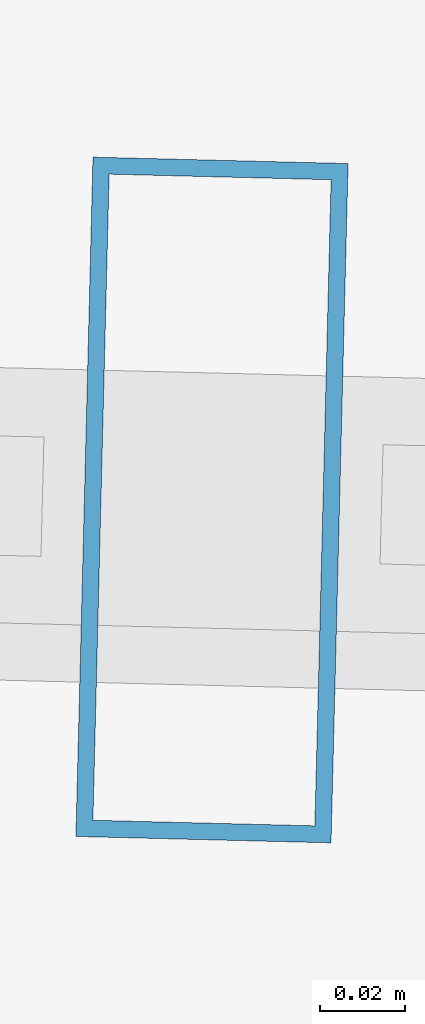
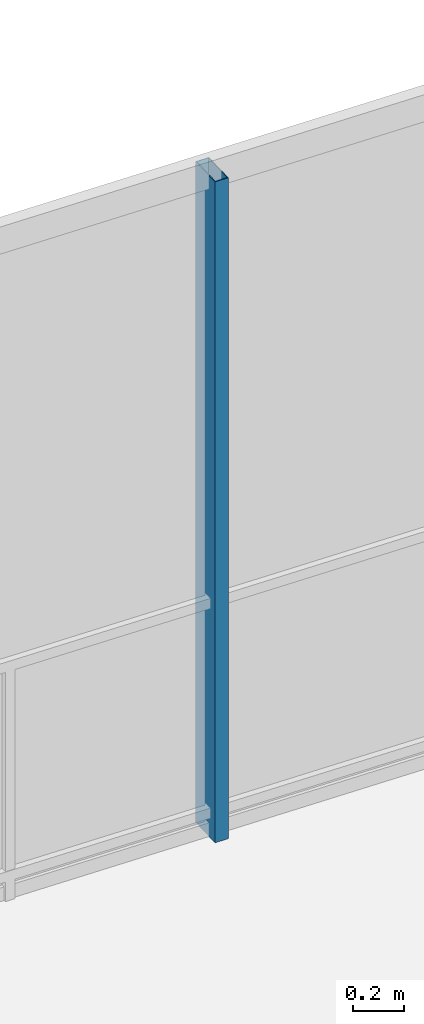
# One storey, part 18 of 30: 1 member, 1 element without a shape of its own.
"""IFC4 building model written with IfcOpenShell, lengths in metres."""

import ifcopenshell
import ifcopenshell.guid

model = None  # the IFC model being written
_history = None  # IfcOwnerHistory: only IFC2X3 demands one
_inside = {}  # id of a spatial element -> (the spatial element, [elements in it])
_under = {}  # id of a project, library or spatial element -> (it, [spatial elements below it])
_declared = {}  # id of a project -> (the project, [libraries it declares])
_typed = {}  # id of a type object -> (the type object, [elements of that type])
_made_of = {}  # id of a material, layer set ... -> (it, [elements and type objects made of it])


def new_model(schema):
    """Start an empty IFC model of exactly this schema.

    Asked for "IFC4X3", IfcOpenShell would pick the latest addendum, in which some entities
    have other attributes; the version numbers below select the first issue.
    IFC2X3 requires an IfcOwnerHistory on every rooted entity: one is made here for all.
    """
    global model, _history
    if schema == "IFC4X3":
        model = ifcopenshell.file(schema_version=(4, 3, 0, 0))
    else:
        model = ifcopenshell.file(schema=schema)
    _inside.clear()
    _under.clear()
    _declared.clear()
    _typed.clear()
    _made_of.clear()
    _history = None
    if model.schema == "IFC2X3":
        org = make("IfcOrganization", Name="unknown")
        user = make(
            "IfcPersonAndOrganization",
            ThePerson=make("IfcPerson", FamilyName="unknown"),
            TheOrganization=org,
        )
        app = make(
            "IfcApplication",
            ApplicationDeveloper=org,
            Version="unknown",
            ApplicationFullName="unknown",
            ApplicationIdentifier="unknown",
        )
        _history = make(
            "IfcOwnerHistory",
            OwningUser=user,
            OwningApplication=app,
            ChangeAction="ADDED",
            CreationDate=0,
        )
    return model


def make(cls, **values):
    """One entity of the class cls with the attributes given. An attribute that is None is left unset."""
    return model.create_entity(
        cls, **{name: value for name, value in values.items() if value is not None}
    )


def rooted(cls, **values):
    """An entity with a GlobalId (a new one), such as an element, a storey or a relation."""
    return make(cls, GlobalId=ifcopenshell.guid.new(), OwnerHistory=_history, **values)


def si_unit(unit_type, name, prefix=None):
    """IfcSIUnit, for example si_unit("LENGTHUNIT", "METRE", prefix="MILLI")."""
    return make("IfcSIUnit", UnitType=unit_type, Prefix=prefix, Name=name)


def assignment(units):
    """IfcUnitAssignment: the units of a project."""
    return None if units is None else make("IfcUnitAssignment", Units=units)


def point(xyz):
    """IfcCartesianPoint."""
    return None if xyz is None else make("IfcCartesianPoint", Coordinates=xyz)


def direction(xyz):
    """IfcDirection."""
    return None if xyz is None else make("IfcDirection", DirectionRatios=xyz)


def frame(location, z_axis=None, x_axis=None):
    """IfcAxis2Placement3D, a coordinate frame: its origin and axes. An axis left out is left unset."""
    return make(
        "IfcAxis2Placement3D",
        Location=point(location),
        Axis=direction(z_axis),
        RefDirection=direction(x_axis),
    )


def frame_2d(location, x_axis=None):
    """IfcAxis2Placement2D, a coordinate frame in the plane: its origin and x axis."""
    return make(
        "IfcAxis2Placement2D", Location=point(location), RefDirection=direction(x_axis)
    )


def origin():
    """The frame at (0, 0, 0) with its axes left unset."""
    return frame((0.0, 0.0, 0.0))


def origin_2d():
    """The frame at (0, 0) in the plane with its x axis left unset."""
    return frame_2d((0.0, 0.0))


def place(relative_to, where):
    """IfcLocalPlacement: puts the frame where relative to a parent placement (None: the world)."""
    return make(
        "IfcLocalPlacement", PlacementRelTo=relative_to, RelativePlacement=where
    )


def context(
    kind, dimensions, precision=None, world=None, true_north=None, identifier=None
):
    """IfcGeometricRepresentationContext, for example the 3D "Model" context."""
    return make(
        "IfcGeometricRepresentationContext",
        ContextIdentifier=identifier,
        ContextType=kind,
        CoordinateSpaceDimension=dimensions,
        Precision=precision,
        WorldCoordinateSystem=world,
        TrueNorth=true_north,
    )


def subcontext(parent, identifier, kind, view, scale=None):
    """IfcGeometricRepresentationSubContext, for example "Body" below "Model"."""
    return make(
        "IfcGeometricRepresentationSubContext",
        ContextIdentifier=identifier,
        ContextType=kind,
        ParentContext=parent,
        TargetScale=scale,
        TargetView=view,
    )


def project(units=None, contexts=None):
    """IfcProject with its units and contexts."""
    return rooted(
        "IfcProject",
        Name="project",
        RepresentationContexts=contexts,
        UnitsInContext=assignment(units),
    )


def spatial(cls, under=None, at=None, **own):
    """A site, building, storey or space (cls), placed at a placement, below another one or the project."""
    s = rooted(cls, ObjectPlacement=at, **own)
    if under is not None:
        _under.setdefault(under.id(), (under, []))[1].append(s)
    return s


def profile(cls, at=None, kind="AREA", **sizes):
    """A parametric profile (cls). Its sizes go by their IFC names, for example OverallWidth=200.0."""
    return make(cls, ProfileType=kind, Position=at, **sizes)


def hollow_rectangle(**sizes):
    """IfcRectangleHollowProfileDef."""
    return profile("IfcRectangleHollowProfileDef", **sizes)


def extrude(swept, where, along, depth):
    """IfcExtrudedAreaSolid: the profile swept, set in the frame where, extruded along a direction by depth."""
    return make(
        "IfcExtrudedAreaSolid",
        SweptArea=swept,
        Position=where,
        ExtrudedDirection=direction(along),
        Depth=depth,
    )


def shape(context_of_items, identifier, shape_type, items):
    """IfcShapeRepresentation: the items that make up one representation, for example the "Body"."""
    return make(
        "IfcShapeRepresentation",
        ContextOfItems=context_of_items,
        RepresentationIdentifier=identifier,
        RepresentationType=shape_type,
        Items=items,
    )


def material(Name=None, Category=None):
    """IfcMaterial."""
    return make("IfcMaterial", Name=Name, Category=Category)


def layer(
    of_material, thickness, ventilated=None, Name=None, Category=None, Priority=None
):
    """IfcMaterialLayer: one layer of a wall or slab, of a material (None: an air gap)."""
    return make(
        "IfcMaterialLayer",
        Material=of_material,
        LayerThickness=thickness,
        IsVentilated=ventilated,
        Name=Name,
        Category=Category,
        Priority=Priority,
    )


def layer_set(layers, Name=None):
    """IfcMaterialLayerSet."""
    return make("IfcMaterialLayerSet", MaterialLayers=layers, LayerSetName=Name)


def material_profile(
    of_material, cross_section, Name=None, Category=None, Priority=None
):
    """IfcMaterialProfile: a cross section and its material."""
    return make(
        "IfcMaterialProfile",
        Name=Name,
        Material=of_material,
        Profile=cross_section,
        Priority=Priority,
        Category=Category,
    )


def profile_set(profiles, Name=None, composite=None):
    """IfcMaterialProfileSet."""
    return make(
        "IfcMaterialProfileSet",
        Name=Name,
        MaterialProfiles=profiles,
        CompositeProfile=composite,
    )


def made_of(thing, what):
    """Note that an element or type object is made of a material, layer set ...; save() writes the relation."""
    if what is not None:
        _made_of.setdefault(what.id(), (what, []))[1].append(thing)
    return thing


def type_object(cls, material=None, **own):
    """A type object (cls), such as IfcWallType, which elements share."""
    return made_of(rooted(cls, **own), material)


def element(
    cls,
    number,
    at=None,
    inside=None,
    cuts=None,
    type_object=None,
    material=None,
    context=None,
    identifier="Body",
    shape_type=None,
    held_by="IfcProductDefinitionShape",
    body=None,
    shapes=None,
    **own,
):
    """One element of the class cls, such as IfcWall. Its Tag is "e" and its number.

    at: its placement. inside: the storey or other place that contains it. cuts: it is an
    opening in that element (IfcRelVoidsElement). A single representation is given by context,
    identifier, shape_type and body (its items); several are given by shapes. held_by: the class
    of the entity that holds the representations. save() writes the other relations.
    """
    e = rooted(cls, Tag="e%d" % number, ObjectPlacement=at, **own)
    if body is not None:
        shapes = [shape(context, identifier, shape_type, body)]
    if shapes is not None:
        e.Representation = make(held_by, Representations=shapes)
    if inside is not None:
        _inside.setdefault(inside.id(), (inside, []))[1].append(e)
    if cuts is not None:
        rooted(
            "IfcRelVoidsElement", RelatingBuildingElement=cuts, RelatedOpeningElement=e
        )
    if type_object is not None:
        _typed.setdefault(type_object.id(), (type_object, []))[1].append(e)
    return made_of(e, material)


def aggregate(whole, parts):
    """IfcRelAggregates: a whole, such as a stair, and the parts it consists of."""
    return rooted("IfcRelAggregates", RelatingObject=whole, RelatedObjects=parts)


def save(model, path):
    """Write the relations noted so far, then the file.

    IfcRelAggregates (storeys below a building ...), IfcRelContainedInSpatialStructure (elements
    in a storey), IfcRelDefinesByType, IfcRelAssociatesMaterial and IfcRelDeclares: one each for
    every whole, place, type object, material and project.
    """
    for whole, parts in _under.values():
        aggregate(whole, parts)
    for where, things in _inside.values():
        rooted(
            "IfcRelContainedInSpatialStructure",
            RelatedElements=things,
            RelatingStructure=where,
        )
    for kind, things in _typed.values():
        rooted("IfcRelDefinesByType", RelatedObjects=things, RelatingType=kind)
    for what, things in _made_of.values():
        rooted("IfcRelAssociatesMaterial", RelatedObjects=things, RelatingMaterial=what)
    for by, libraries in _declared.values():
        rooted("IfcRelDeclares", RelatingContext=by, RelatedDefinitions=libraries)
    model.write(path)


model = new_model("IFC4")

# Units and contexts
model_context = context("Model", 3, precision=1e-05, world=origin(), true_north=direction((0.0, 1.0)))
body_context = subcontext(model_context, "Body", "Model", "MODEL_VIEW")
ifc_project = project(units=[si_unit("LENGTHUNIT", "METRE"), si_unit("AREAUNIT", "SQUARE_METRE"), si_unit("VOLUMEUNIT", "CUBIC_METRE"), si_unit("PLANEANGLEUNIT", "RADIAN"), si_unit("MASSUNIT", "GRAM", prefix="KILO")], contexts=[model_context])

# Site, building, storey
site_placement = place(None, origin())
site = spatial("IfcSite", under=ifc_project, at=site_placement, CompositionType="ELEMENT")
building_placement = place(site_placement, origin())
building = spatial("IfcBuilding", under=site, at=building_placement, Name="Qarnah Convention Tower", CompositionType="ELEMENT")
storey_placement = place(building_placement, frame((0.0, 0.0, 61.5)))
storey = spatial("IfcBuildingStorey", under=building, at=storey_placement, Name="L15", CompositionType="ELEMENT", Elevation=61.5)

# Curtain wall, member
ifc_material_1 = material(Name="Tempered Low-E dark glass", Category="glass")
ifc_layer = layer(ifc_material_1, 0.16796875)
ifc_layer_set = layer_set([ifc_layer], Name="Tempered Low-E dark glass")
curtain_wall_type = type_object("IfcCurtainWallType", Name="CWS-01", PredefinedType="NOTDEFINED", material=ifc_layer_set)
curtain_wall_placement = place(storey_placement, origin())
curtain_wall = element("IfcCurtainWall", 1, at=curtain_wall_placement, inside=storey, type_object=curtain_wall_type, Name="L15 unitised curtain wall CW-L15-F1", PredefinedType="NOTDEFINED")
ifc_material_2 = material(Name="Black anodised aluminium", Category="aluminium")
ifc_material_profile = material_profile(ifc_material_2, hollow_rectangle(XDim=0.06005859375, YDim=0.159912109375, WallThickness=0.00390625, at=origin_2d()), Name="MUL-60X160")
ifc_profile_set = profile_set([ifc_material_profile], Name="Black anodised aluminium")
member_type = type_object("IfcMemberType", Name="MUL-T1", PredefinedType="MULLION", material=ifc_profile_set)
member_placement = place(storey_placement, frame((35.27197265625, 44.697509765625, 0.0), z_axis=(0.0, 0.0, 1.0), x_axis=(0.999684752198, -0.025107692487, 0.0)))
member = element("IfcMember", 2, at=member_placement, type_object=member_type, Name="CW-L15-F1 mullion 3", PredefinedType="MULLION", context=body_context, shape_type="SweptSolid", body=[
    extrude(hollow_rectangle(XDim=0.06005859375, YDim=0.159912109375, WallThickness=0.00390625, at=origin_2d()), origin(), (0.0, 0.0, 1.0), 3.169921875),
])
aggregate(curtain_wall, [member])

save(model, "model.ifc")
